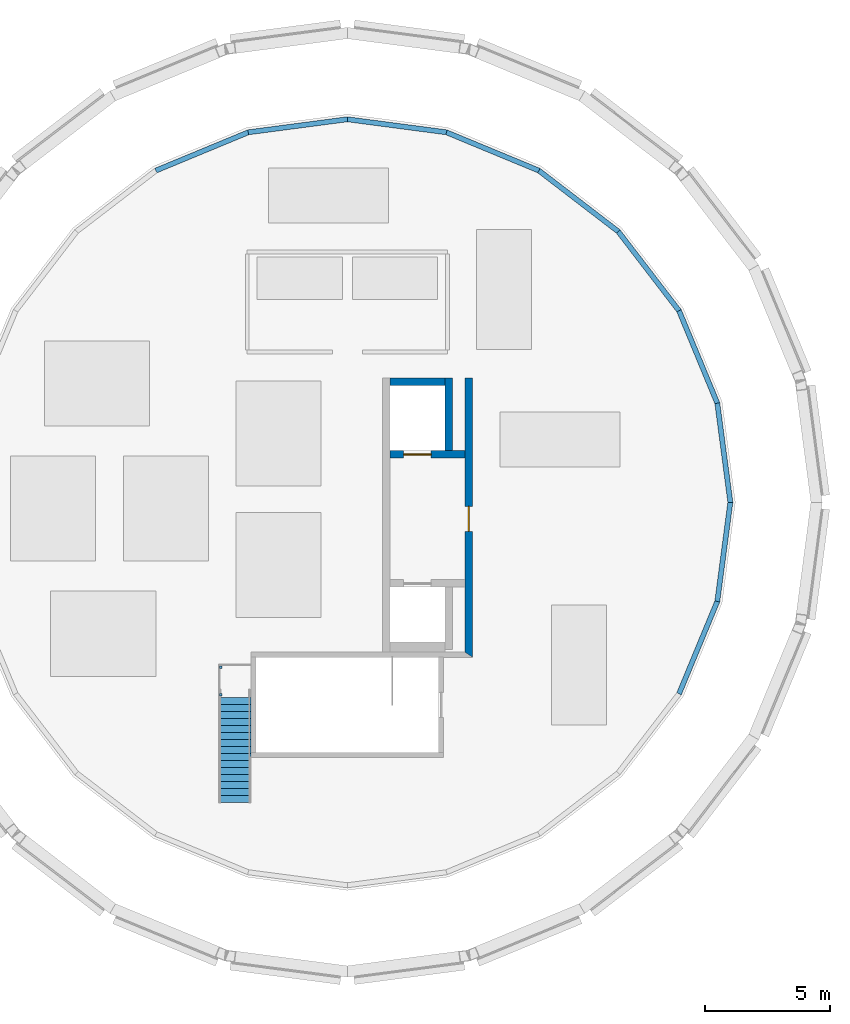
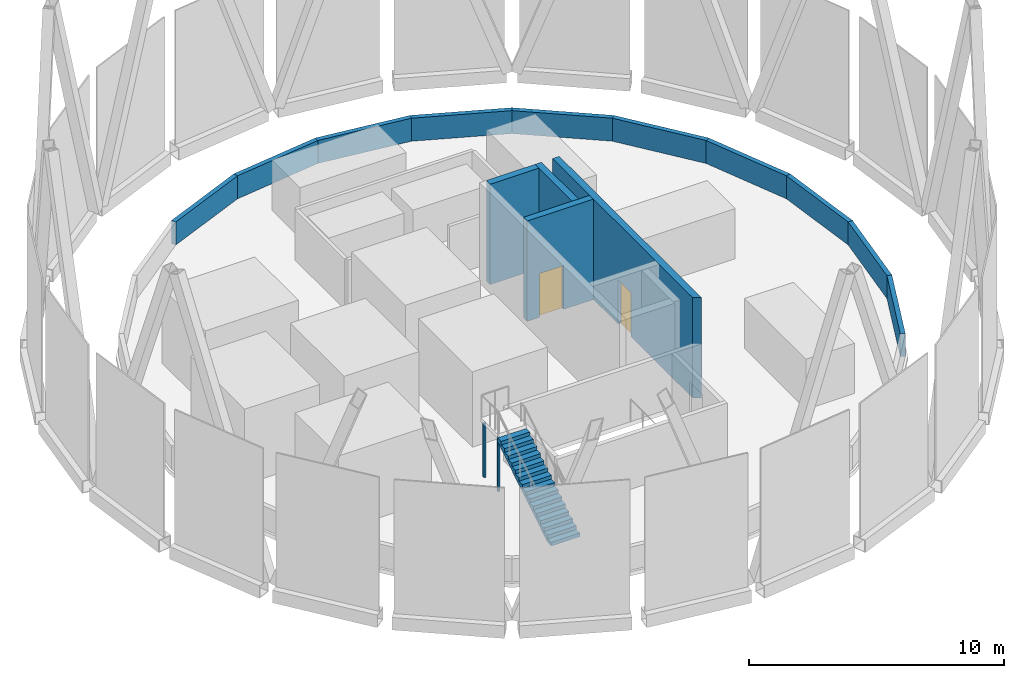
# One storey, part 2 of 4: 14 walls, 2 discrete accessories, 2 doors, 1 stair flight, 2 openings, 1 element without a shape of its own.
"""IFC4 building model written with IfcOpenShell, lengths in metres."""

from ifc_helpers import new_model, si_unit, direction, frame, frame_2d, origin, origin_2d, place, context, subcontext, project, spatial, polyline, rectangle, outline, extrude, source, transform, mapped, material, layer, layer_set, type_object, element, fill, aggregate, save


model = new_model("IFC4")

# Units and contexts
model_context = context("Model", 3, precision=1e-05, world=origin(), true_north=direction((0.0, 1.0)))
body_context = subcontext(model_context, "Body", "Model", "MODEL_VIEW")
ifc_project = project(units=[si_unit("LENGTHUNIT", "METRE"), si_unit("AREAUNIT", "SQUARE_METRE"), si_unit("VOLUMEUNIT", "CUBIC_METRE"), si_unit("PLANEANGLEUNIT", "RADIAN"), si_unit("MASSUNIT", "GRAM", prefix="KILO")], contexts=[model_context])

# Site, building, storey
site_placement = place(None, origin())
site = spatial("IfcSite", under=ifc_project, at=site_placement, CompositionType="ELEMENT")
building_placement = place(site_placement, origin())
building = spatial("IfcBuilding", under=site, at=building_placement, Name="Triune Harvest Tower", CompositionType="ELEMENT")
storey_placement = place(building_placement, frame((0.0, 0.0, 299.699951171875)))
storey = spatial("IfcBuildingStorey", under=building, at=storey_placement, Name="RF", CompositionType="ELEMENT", Elevation=299.699951171875)

# Walls
ifc_material_1 = material(Name="Concrete 40 MPa", Category="concrete")
ifc_layer_1 = layer(ifc_material_1, 0.199951171875)
ifc_layer_set_1 = layer_set([ifc_layer_1], Name="Concrete 40 MPa")
wall_type_1 = type_object("IfcWallType", Name="PA-1 parapet 200", PredefinedType="PARAPET", material=ifc_layer_set_1)
wall_1_placement = place(storey_placement, origin())
element("IfcWall", 1, at=wall_1_placement, inside=storey, type_object=wall_type_1, Name="Parapet rf 1", PredefinedType="PARAPET", context=body_context, shape_type="SweptSolid", body=[
    extrude(outline(polyline([(15.399169921875, 0.0), (14.87451171875, 3.985595703125), (14.6796875, 3.933349609375), (15.197509765625, 0.0), (15.399169921875, 0.0)])), origin(), (0.0, 0.0, 1.0), 1.10009765625),
])
wall_2_placement = place(storey_placement, origin())
element("IfcWall", 2, at=wall_2_placement, inside=storey, type_object=wall_type_1, Name="Parapet rf 2", PredefinedType="PARAPET", context=body_context, shape_type="SweptSolid", body=[
    extrude(outline(polyline([(14.87451171875, 3.985595703125), (13.336181640625, 7.69970703125), (13.161376953125, 7.5986328125), (14.6796875, 3.933349609375), (14.87451171875, 3.985595703125)])), origin(), (0.0, 0.0, 1.0), 1.10009765625),
])
wall_3_placement = place(storey_placement, origin())
element("IfcWall", 3, at=wall_3_placement, inside=storey, type_object=wall_type_1, Name="Parapet rf 3", PredefinedType="PARAPET", context=body_context, shape_type="SweptSolid", body=[
    extrude(outline(polyline([(13.336181640625, 7.69970703125), (10.888916015625, 10.888916015625), (10.74609375, 10.74609375), (13.161376953125, 7.5986328125), (13.336181640625, 7.69970703125)])), origin(), (0.0, 0.0, 1.0), 1.10009765625),
])
wall_4_placement = place(storey_placement, origin())
element("IfcWall", 4, at=wall_4_placement, inside=storey, type_object=wall_type_1, Name="Parapet rf 4", PredefinedType="PARAPET", context=body_context, shape_type="SweptSolid", body=[
    extrude(outline(polyline([(10.888916015625, 10.888916015625), (7.69970703125, 13.336181640625), (7.5986328125, 13.161376953125), (10.74609375, 10.74609375), (10.888916015625, 10.888916015625)])), origin(), (0.0, 0.0, 1.0), 1.10009765625),
])
wall_5_placement = place(storey_placement, origin())
element("IfcWall", 5, at=wall_5_placement, inside=storey, type_object=wall_type_1, Name="Parapet rf 5", PredefinedType="PARAPET", context=body_context, shape_type="SweptSolid", body=[
    extrude(outline(polyline([(7.69970703125, 13.336181640625), (3.985595703125, 14.87451171875), (3.933349609375, 14.6796875), (7.5986328125, 13.161376953125), (7.69970703125, 13.336181640625)])), origin(), (0.0, 0.0, 1.0), 1.10009765625),
])
wall_6_placement = place(storey_placement, origin())
element("IfcWall", 6, at=wall_6_placement, inside=storey, type_object=wall_type_1, Name="Parapet rf 6", PredefinedType="PARAPET", context=body_context, shape_type="SweptSolid", body=[
    extrude(outline(polyline([(3.985595703125, 14.87451171875), (0.0, 15.399169921875), (0.0, 15.197509765625), (3.933349609375, 14.6796875), (3.985595703125, 14.87451171875)])), origin(), (0.0, 0.0, 1.0), 1.10009765625),
])
wall_7_placement = place(storey_placement, origin())
element("IfcWall", 7, at=wall_7_placement, inside=storey, type_object=wall_type_1, Name="Parapet rf 7", PredefinedType="PARAPET", context=body_context, shape_type="SweptSolid", body=[
    extrude(outline(polyline([(0.0, 15.399169921875), (-3.985595703125, 14.87451171875), (-3.933349609375, 14.6796875), (0.0, 15.197509765625), (0.0, 15.399169921875)])), origin(), (0.0, 0.0, 1.0), 1.10009765625),
])
wall_8_placement = place(storey_placement, origin())
element("IfcWall", 8, at=wall_8_placement, inside=storey, type_object=wall_type_1, Name="Parapet rf 8", PredefinedType="PARAPET", context=body_context, shape_type="SweptSolid", body=[
    extrude(outline(polyline([(-3.985595703125, 14.87451171875), (-7.69970703125, 13.336181640625), (-7.5986328125, 13.161376953125), (-3.933349609375, 14.6796875), (-3.985595703125, 14.87451171875)])), origin(), (0.0, 0.0, 1.0), 1.10009765625),
])
wall_9_placement = place(storey_placement, origin())
element("IfcWall", 9, at=wall_9_placement, inside=storey, type_object=wall_type_1, Name="Parapet rf 23", PredefinedType="PARAPET", context=body_context, shape_type="SweptSolid", body=[
    extrude(outline(polyline([(13.336181640625, -7.69970703125), (14.87451171875, -3.985595703125), (14.6796875, -3.933349609375), (13.161376953125, -7.5986328125), (13.336181640625, -7.69970703125)])), origin(), (0.0, 0.0, 1.0), 1.10009765625),
])
wall_10_placement = place(storey_placement, origin())
element("IfcWall", 10, at=wall_10_placement, inside=storey, type_object=wall_type_1, Name="Parapet rf 24", PredefinedType="PARAPET", context=body_context, shape_type="SweptSolid", body=[
    extrude(outline(polyline([(14.87451171875, -3.985595703125), (15.399169921875, 0.0), (15.197509765625, 0.0), (14.6796875, -3.933349609375), (14.87451171875, -3.985595703125)])), origin(), (0.0, 0.0, 1.0), 1.10009765625),
])

# Wall, opening, door
ifc_material_2 = material(Name="Concrete 70 MPa", Category="concrete")
ifc_layer_2 = layer(ifc_material_2, 0.300048828125)
ifc_layer_set_2 = layer_set([ifc_layer_2], Name="Concrete 70 MPa")
wall_type_2 = type_object("IfcWallType", Name="RW-2 lift head wall 300", PredefinedType="SOLIDWALL", material=ifc_layer_set_2)
wall_11_placement = place(storey_placement, frame((4.85009765625, 4.9599609375, 0.0), z_axis=(0.0, 0.0, 1.0), x_axis=(0.0, -1.0, 0.0)))
wall_11 = element("IfcWall", 11, at=wall_11_placement, inside=storey, type_object=wall_type_2, Name="Lift head wall east", PredefinedType="SOLIDWALL", context=body_context, shape_type="SweptSolid", body=[
    extrude(outline(polyline([(0.0, -0.14990234375), (10.949951171875, -0.14990234375), (11.14990234375, 0.14990234375), (0.0, 0.14990234375), (0.0, -0.14990234375)])), origin(), (0.0, 0.0, 1.0), 4.800048828125),
])
opening_1_placement = place(wall_11_placement, frame((5.125, 0.0, 0.0)))
opening_1 = element("IfcOpeningElement", 12, at=opening_1_placement, cuts=wall_11, Name="Opening RF-E02", PredefinedType="OPENING", context=body_context, shape_type="SweptSolid", body=[
    extrude(rectangle(XDim=1.0, YDim=2.10009765625, at=frame_2d((0.5, 1.050048828125))), frame((0.0, 0.16015625, 0.0), z_axis=(0.0, -1.0, 0.0), x_axis=(1.0, 0.0, 0.0)), (0.0, 0.0, 1.0), 0.320068359375),
])
ifc_material_3 = material(Name="Aluminium bronze anodised", Category="aluminium")
door_type_1 = type_object("IfcDoorType", Name="RD-2 lobby roof door 1000 x 2100", OperationType="SINGLE_SWING_LEFT", PredefinedType="DOOR", material=ifc_material_3)
door_1_placement = place(opening_1_placement, origin())
door_1 = element("IfcDoor", 13, at=door_1_placement, inside=storey, type_object=door_type_1, Name="Door RF-E02", OperationType="SINGLE_SWING_LEFT", OverallHeight=2.10009765625, OverallWidth=1.0, PredefinedType="DOOR", context=body_context, shape_type="SweptSolid", body=[
    extrude(rectangle(XDim=1.0, YDim=2.10009765625, at=frame_2d((0.5, 1.050048828125))), frame((0.0, 0.02490234375, 0.0), z_axis=(0.0, -1.0, 0.0), x_axis=(1.0, 0.0, 0.0)), (0.0, 0.0, 1.0), 0.050048828125),
])
fill(opening_1, door_1)

# Walls
wall_12_placement = place(storey_placement, frame((1.699951171875, 4.81005859375, 0.0), z_axis=(0.0, 0.0, 1.0), x_axis=(1.0, 0.0, 0.0)))
element("IfcWall", 14, at=wall_12_placement, inside=storey, type_object=wall_type_2, Name="Lift head wall FF-1 north", PredefinedType="SOLIDWALL", context=body_context, shape_type="SweptSolid", body=[
    extrude(rectangle(XDim=2.199951171875, YDim=0.300048828125, at=frame_2d((1.10009765625, 0.0))), origin(), (0.0, 0.0, 1.0), 4.800048828125),
])
wall_13_placement = place(storey_placement, frame((4.050048828125, 2.06005859375, 0.0), z_axis=(0.0, 0.0, 1.0), x_axis=(0.0, 1.0, 0.0)))
element("IfcWall", 15, at=wall_13_placement, inside=storey, type_object=wall_type_2, Name="Lift head wall FF-1 east", PredefinedType="SOLIDWALL", context=body_context, shape_type="SweptSolid", body=[
    extrude(rectangle(XDim=2.89990234375, YDim=0.300048828125, at=frame_2d((1.449951171875, 0.0))), origin(), (0.0, 0.0, 1.0), 4.800048828125),
])

# Wall, opening, door
shared_shape_1 = source(origin(), body_context, "Body", "SweptSolid", [
    extrude(rectangle(XDim=3.0, YDim=0.300048828125, at=frame_2d((1.5, 0.0))), origin(), (0.0, 0.0, 1.0), 4.800048828125),
])
wall_14_placement = place(storey_placement, frame((1.699951171875, 1.909912109375, 0.0), z_axis=(0.0, 0.0, 1.0), x_axis=(1.0, 0.0, 0.0)))
wall_14 = element("IfcWall", 16, at=wall_14_placement, inside=storey, type_object=wall_type_2, Name="Lift head wall FF-1 south", PredefinedType="SOLIDWALL", context=body_context, shape_type="MappedRepresentation", body=[
    mapped(shared_shape_1, transform((0.0, 0.0, 0.0), scale=1.0)),
])
opening_2_placement = place(wall_14_placement, frame((0.550048828125, 0.0, 0.0)))
opening_2 = element("IfcOpeningElement", 17, at=opening_2_placement, cuts=wall_14, Name="Opening LD-FF1-RF", PredefinedType="OPENING", context=body_context, shape_type="SweptSolid", body=[
    extrude(rectangle(XDim=1.10009765625, YDim=2.10009765625, at=frame_2d((0.550048828125, 1.050048828125))), frame((0.0, 0.16015625, 0.0), z_axis=(0.0, -1.0, 0.0), x_axis=(1.0, 0.0, 0.0)), (0.0, 0.0, 1.0), 0.320068359375),
])
ifc_material_4 = material(Name="Stainless steel AISI 304", Category="steel")
door_type_2 = type_object("IfcDoorType", Name="Landing door 1100 x 2100", OperationType="DOUBLE_DOOR_SLIDING", PredefinedType="DOOR", material=ifc_material_4)
door_2_placement = place(opening_2_placement, origin())
door_2 = element("IfcDoor", 18, at=door_2_placement, inside=storey, type_object=door_type_2, Name="Landing door FF-1 RF", OperationType="DOUBLE_DOOR_SLIDING", OverallHeight=2.10009765625, OverallWidth=1.10009765625, PredefinedType="DOOR", context=body_context, shape_type="SweptSolid", body=[
    extrude(rectangle(XDim=1.10009765625, YDim=2.10009765625, at=frame_2d((0.550048828125, 1.050048828125))), frame((0.0, 0.02490234375, 0.0), z_axis=(0.0, -1.0, 0.0), x_axis=(1.0, 0.0, 0.0)), (0.0, 0.0, 1.0), 0.050048828125),
])
fill(opening_2, door_2)

# Stair, stair flight
ifc_material_5 = material(Name="Steel S355", Category="steel")
stair_type = type_object("IfcStairType", Name="Roof access stair 1300 steel", PredefinedType="STRAIGHT_RUN_STAIR", material=ifc_material_5)
stair_placement = place(storey_placement, origin())
stair = element("IfcStair", 19, at=stair_placement, inside=storey, type_object=stair_type, Name="Roof access stair RA-1", PredefinedType="STRAIGHT_RUN_STAIR")
ifc_material_6 = material(Name="Steel S355", Category="steel")
stair_flight_type = type_object("IfcStairFlightType", Name="Roof access stair flight 1300", PredefinedType="STRAIGHT", material=ifc_material_6)
stair_flight_placement = place(storey_placement, frame((-4.5, -11.989990234375, 0.0), z_axis=(0.0, 0.0, 1.0), x_axis=(0.0, 1.0, 0.0)))
stair_flight = element("IfcStairFlight", 20, at=stair_flight_placement, type_object=stair_flight_type, Name="RA-1 flight 1", NumberOfRisers=16, NumberOfTreads=15, PredefinedType="STRAIGHT", RiserHeight=0.175, TreadLength=0.28, context=body_context, shape_type="SweptSolid", body=[
    extrude(outline(polyline([(0.0, 0.0), (0.0, 0.175048828125), (0.280029296875, 0.175048828125), (0.280029296875, 0.35009765625), (0.56005859375, 0.35009765625), (0.56005859375, 0.52490234375), (0.840087890625, 0.52490234375), (0.840087890625, 0.699951171875), (1.1201171875, 0.699951171875), (1.1201171875, 0.875), (1.39990234375, 0.875), (1.39990234375, 1.050048828125), (1.679931640625, 1.050048828125), (1.679931640625, 1.22509765625), (1.9599609375, 1.22509765625), (1.9599609375, 1.39990234375), (2.239990234375, 1.39990234375), (2.239990234375, 1.574951171875), (2.52001953125, 1.574951171875), (2.52001953125, 1.75), (2.800048828125, 1.75), (2.800048828125, 1.925048828125), (3.080078125, 1.925048828125), (3.080078125, 2.10009765625), (3.360107421875, 2.10009765625), (3.360107421875, 2.27490234375), (3.639892578125, 2.27490234375), (3.639892578125, 2.449951171875), (3.919921875, 2.449951171875), (3.919921875, 2.625), (4.199951171875, 2.625), (4.199951171875, 2.800048828125), (4.199951171875, 2.4482421875), (0.28271484375, 0.0), (0.0, 0.0)])), frame((0.0, 0.64990234375, 0.0), z_axis=(0.0, -1.0, 0.0), x_axis=(1.0, 0.0, 0.0)), (0.0, 0.0, 1.0), 1.300048828125),
])
aggregate(stair, [stair_flight])

# Discrete accessories
ifc_material_7 = material(Name="Steel ASTM A992 Gr 50", Category="steel")
shared_shape_2 = source(origin(), body_context, "Body", "SweptSolid", [
    extrude(rectangle(XDim=0.10009765625, YDim=0.10009765625, at=origin_2d()), origin(), (0.0, 0.0, 1.0), 2.60009765625),
])
for number, where, z_axis, x_axis, name in (
    (21, (-5.050048828125, -6.590087890625, 0.0), (0.0, 0.0, 1.0), (1.0, 0.0, 0.0), "RA-1-P1 support post"),
    (22, (-5.050048828125, -7.68994140625, 0.0), (0.0, 0.0, 1.0), (1.0, 0.0, 0.0), "RA-1-P2 support post"),
):
    element("IfcDiscreteAccessory", number, at=place(storey_placement, frame(where, z_axis=z_axis, x_axis=x_axis)), inside=storey, material=ifc_material_7, Name=name, ObjectType="BRACKET", PredefinedType="USERDEFINED", context=body_context, shape_type="MappedRepresentation", body=[
        mapped(shared_shape_2, transform((0.0, 0.0, 0.0), scale=1.0)),
    ])

save(model, "model.ifc")
